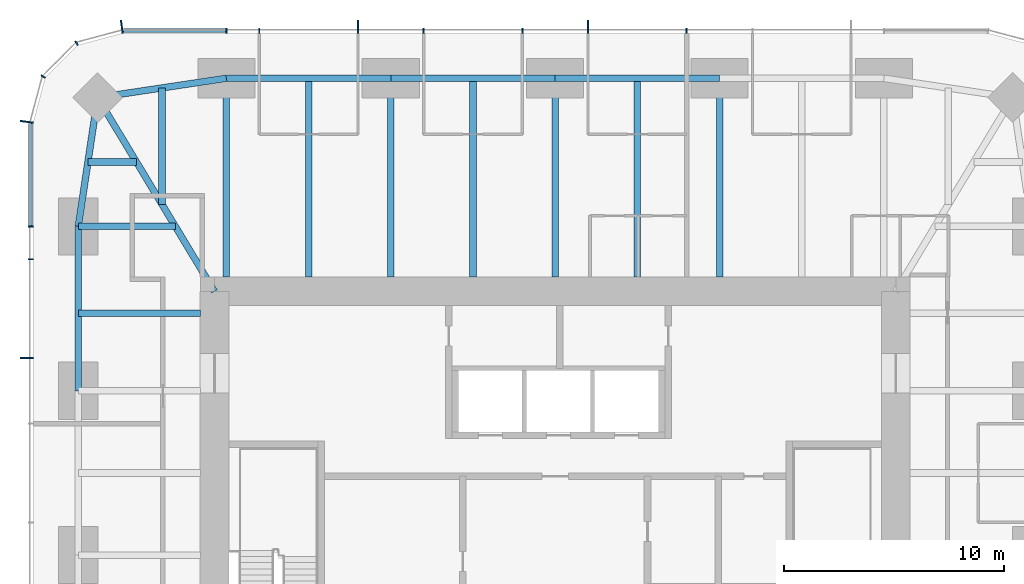
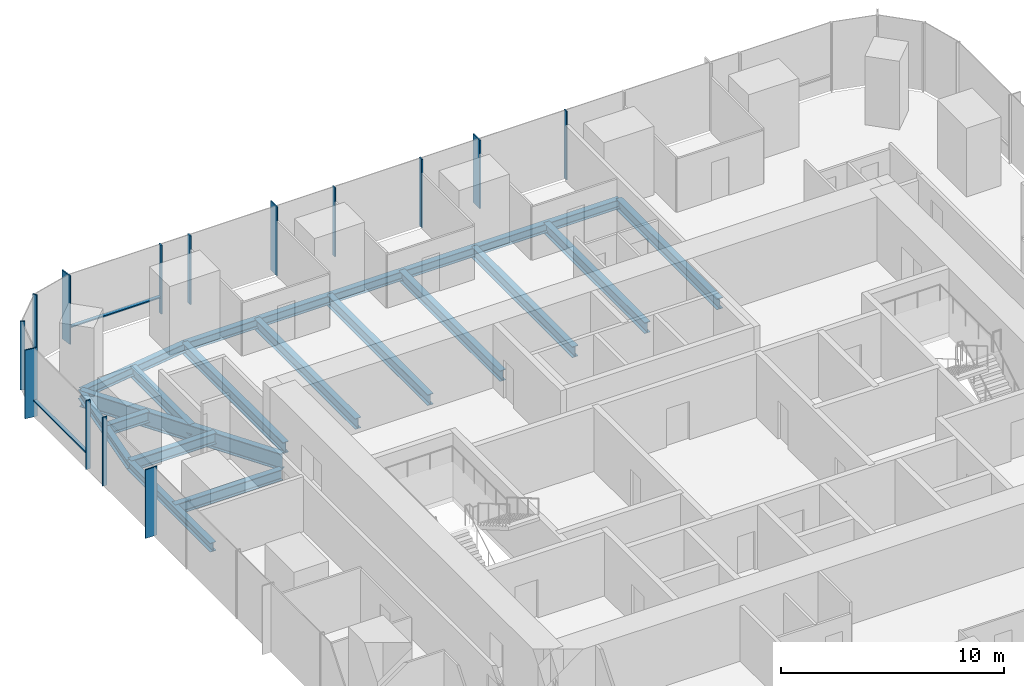
# One storey, part 5 of 12: 18 beams, 16 members, 3 elements without a shape of their own.
"""IFC4 building model written with IfcOpenShell, lengths in metres."""

from ifc_helpers import new_model, si_unit, direction, frame, origin, origin_2d, place, context, subcontext, project, spatial, rectangle, i_section, extrude, material, material_profile, profile_set, type_object, element, aggregate, save


model = new_model("IFC4")

# Units and contexts
model_context = context("Model", 3, precision=1e-05, world=origin(), true_north=direction((0.0, 1.0)))
body_context = subcontext(model_context, "Body", "Model", "MODEL_VIEW")
ifc_project = project(units=[si_unit("LENGTHUNIT", "METRE"), si_unit("AREAUNIT", "SQUARE_METRE"), si_unit("VOLUMEUNIT", "CUBIC_METRE"), si_unit("PLANEANGLEUNIT", "RADIAN"), si_unit("MASSUNIT", "GRAM", prefix="KILO")], contexts=[model_context])

# Site, building, storey
site_placement = place(None, origin())
site = spatial("IfcSite", under=ifc_project, at=site_placement, CompositionType="ELEMENT")
building_placement = place(site_placement, origin())
building = spatial("IfcBuilding", under=site, at=building_placement, Name="Khuree Lantern Residences", CompositionType="ELEMENT")
storey_placement = place(building_placement, frame((0.0, 0.0, 297.0)))
storey = spatial("IfcBuildingStorey", under=building, at=storey_placement, Name="L74", CompositionType="ELEMENT", Elevation=297.0)

# Beams
ifc_material_1 = material(Name="Steel S355", Category="steel")
ifc_material_profile_1 = material_profile(ifc_material_1, i_section(OverallWidth=0.300048828125, OverallDepth=0.590087890625, WebThickness=0.012939453125, FlangeThickness=0.02490234375, FilletRadius=0.027099609375, at=origin_2d()), Name="HE 600 A")
ifc_profile_set_1 = profile_set([ifc_material_profile_1], Name="Steel S355")
beam_type_1 = type_object("IfcBeamType", Name="B-41A SECONDARY BEAM HE 600 A", PredefinedType="BEAM", material=ifc_profile_set_1)
for number, where, z_axis, x_axis, name in (
    (1, (-11.219970703125, 21.699951171875, -0.544921875), (0.0, -1.0, 0.0), (1.0, 0.0, 0.0), "Secondary beam N1"),
    (2, (-3.739990234375, 21.699951171875, -0.544921875), (0.0, -1.0, 0.0), (1.0, 0.0, 0.0), "Secondary beam N2"),
    (3, (3.739990234375, 21.699951171875, -0.544921875), (0.0, -1.0, 0.0), (1.0, 0.0, 0.0), "Secondary beam N3"),
):
    element("IfcBeam", number, at=place(storey_placement, frame(where, z_axis=z_axis, x_axis=x_axis)), inside=storey, type_object=beam_type_1, Name=name, PredefinedType="BEAM", context=body_context, shape_type="SweptSolid", body=[
        extrude(i_section(OverallWidth=0.300048828125, OverallDepth=0.590087890625, WebThickness=0.012939453125, FlangeThickness=0.02490234375, FilletRadius=0.027099609375, at=origin_2d()), origin(), (0.0, 0.0, 1.0), 9.050048828125),
    ])
beam_1_placement = place(storey_placement, frame((-21.699951171875, 11.0, -0.544921875), z_axis=(1.0, 0.0, 0.0), x_axis=(0.0, 1.0, 0.0)))
element("IfcBeam", 4, at=beam_1_placement, inside=storey, type_object=beam_type_1, Name="Secondary beam W5", PredefinedType="BEAM", context=body_context, shape_type="SweptSolid", body=[
    extrude(i_section(OverallWidth=0.300048828125, OverallDepth=0.590087890625, WebThickness=0.012939453125, FlangeThickness=0.02490234375, FilletRadius=0.027099609375, at=origin_2d()), origin(), (0.0, 0.0, 1.0), 5.550048828125),
])
beam_2_placement = place(storey_placement, frame((-21.2607421875, 17.890625, -0.544921875), z_axis=(1.0, 0.0, 0.0), x_axis=(0.0, 1.0, 0.0)))
element("IfcBeam", 5, at=beam_2_placement, inside=storey, type_object=beam_type_1, Name="Secondary beam W6", PredefinedType="BEAM", context=body_context, shape_type="SweptSolid", body=[
    extrude(i_section(OverallWidth=0.300048828125, OverallDepth=0.590087890625, WebThickness=0.012939453125, FlangeThickness=0.02490234375, FilletRadius=0.027099609375, at=origin_2d()), origin(), (0.0, 0.0, 1.0), 2.207275390625),
])
beam_3_placement = place(storey_placement, frame((-17.890625, 21.2607421875, -0.544921875), z_axis=(0.0, -1.0, 0.0), x_axis=(1.0, 0.0, 0.0)))
element("IfcBeam", 6, at=beam_3_placement, inside=storey, type_object=beam_type_1, Name="Secondary beam N6", PredefinedType="BEAM", context=body_context, shape_type="SweptSolid", body=[
    extrude(i_section(OverallWidth=0.300048828125, OverallDepth=0.590087890625, WebThickness=0.012939453125, FlangeThickness=0.02490234375, FilletRadius=0.027099609375, at=origin_2d()), origin(), (0.0, 0.0, 1.0), 5.297607421875),
])
ifc_material_profile_2 = material_profile(ifc_material_1, i_section(OverallWidth=0.300048828125, OverallDepth=0.489990234375, WebThickness=0.011962890625, FlangeThickness=0.02294921875, FilletRadius=0.027099609375, at=origin_2d()), Name="HE 500 A")
ifc_profile_set_2 = profile_set([ifc_material_profile_2], Name="Steel S355")
beam_type_2 = type_object("IfcBeamType", Name="E-41 SPANDREL BEAM HE 500 A", PredefinedType="SPANDREL", material=ifc_profile_set_2)
for number, where, z_axis, x_axis, name in (
    (7, (-14.9599609375, 21.699951171875, -0.4951171875), (1.0, 0.0, 0.0), (0.0, 1.0, 0.0), "Spandrel beam N1"),
    (8, (-7.47998046875, 21.699951171875, -0.4951171875), (1.0, 0.0, 0.0), (0.0, 1.0, 0.0), "Spandrel beam N2"),
    (9, (0.0, 21.699951171875, -0.4951171875), (1.0, 0.0, 0.0), (0.0, 1.0, 0.0), "Spandrel beam N3"),
    (10, (-21.699951171875, 7.47998046875, -0.4951171875), (0.0, 1.0, 0.0), (-1.0, 0.0, 0.0), "Spandrel beam W5"),
):
    element("IfcBeam", number, at=place(storey_placement, frame(where, z_axis=z_axis, x_axis=x_axis)), inside=storey, type_object=beam_type_2, Name=name, PredefinedType="SPANDREL", context=body_context, shape_type="SweptSolid", body=[
        extrude(i_section(OverallWidth=0.300048828125, OverallDepth=0.489990234375, WebThickness=0.011962890625, FlangeThickness=0.02294921875, FilletRadius=0.027099609375, at=origin_2d()), origin(), (0.0, 0.0, 1.0), 7.47998046875),
    ])
for number, where, z_axis, x_axis, name in (
    (11, (-21.699951171875, 14.9599609375, -0.4951171875), (0.148251822985, 0.988949643299, 0.0), (-0.988949643299, 0.148251822985, 0.0), "Spandrel beam W6"),
    (12, (-20.8212890625, 20.8212890625, -0.4951171875), (0.988949643299, 0.148251822985, 0.0), (-0.148251822985, 0.988949643299, 0.0), "Spandrel beam N6"),
):
    element("IfcBeam", number, at=place(storey_placement, frame(where, z_axis=z_axis, x_axis=x_axis)), inside=storey, type_object=beam_type_2, Name=name, PredefinedType="SPANDREL", context=body_context, shape_type="SweptSolid", body=[
        extrude(i_section(OverallWidth=0.300048828125, OverallDepth=0.489990234375, WebThickness=0.011962890625, FlangeThickness=0.02294921875, FilletRadius=0.027099609375, at=origin_2d()), origin(), (0.0, 0.0, 1.0), 5.9267578125),
    ])

# Curtain wall, members
ifc_material_2 = material(Name="Bronze anodised aluminium", Category="aluminium")
curtain_wall_type_1 = type_object("IfcCurtainWallType", Name="CW-T1 TOWER FACE CURTAIN WALL", PredefinedType="USERDEFINED", material=ifc_material_2)
curtain_wall_1_placement = place(storey_placement, origin())
curtain_wall_1 = element("IfcCurtainWall", 13, at=curtain_wall_1_placement, inside=storey, type_object=curtain_wall_type_1, Name="L74 NORTH FACE CURTAIN WALL", ObjectType="Stick-built curtain wall", PredefinedType="USERDEFINED")
ifc_material_profile_3 = material_profile(ifc_material_2, rectangle(XDim=0.06494140625, YDim=0.60009765625, at=origin_2d()), Name="F1 65X600")
ifc_profile_set_3 = profile_set([ifc_material_profile_3], Name="Bronze anodised aluminium")
member_type_1 = type_object("IfcMemberType", Name="F1 BRONZE FIN MULLION TOWER 65X600", PredefinedType="MULLION", material=ifc_profile_set_3)
member_1_placement = place(storey_placement, frame((1.49609375, 24.050048828125, 0.0), z_axis=(0.0, 0.0, 1.0), x_axis=(-1.0, 0.0, 0.0)))
member_1 = element("IfcMember", 14, at=member_1_placement, type_object=member_type_1, Name="L74 NORTH FACE FIN MULLION 23", PredefinedType="MULLION", context=body_context, shape_type="SweptSolid", body=[
    extrude(rectangle(XDim=0.06494140625, YDim=0.60009765625, at=origin_2d()), origin(), (0.0, 0.0, 1.0), 3.75),
])
member_2_placement = place(storey_placement, frame((-8.97607421875, 24.050048828125, 0.0), z_axis=(0.0, 0.0, 1.0), x_axis=(-1.0, 0.0, 0.0)))
member_2 = element("IfcMember", 15, at=member_2_placement, type_object=member_type_1, Name="L74 NORTH FACE FIN MULLION 26", PredefinedType="MULLION", context=body_context, shape_type="SweptSolid", body=[
    extrude(rectangle(XDim=0.06494140625, YDim=0.60009765625, at=origin_2d()), origin(), (0.0, 0.0, 1.0), 3.75),
])

# Curtain wall, member
curtain_wall_type_2 = type_object("IfcCurtainWallType", Name="CW-T2 TOWER CORNER CURTAIN WALL", PredefinedType="USERDEFINED", material=ifc_material_2)
curtain_wall_2_placement = place(storey_placement, origin())
curtain_wall_2 = element("IfcCurtainWall", 16, at=curtain_wall_2_placement, inside=storey, type_object=curtain_wall_type_2, Name="L74 NORTH-WEST CORNER CURTAIN WALL", ObjectType="Faceted corner curtain wall", PredefinedType="USERDEFINED")
member_3_placement = place(storey_placement, frame((-19.7197265625, 24.050048828125, 0.0), z_axis=(0.0, 0.0, 1.0), x_axis=(-0.991444870192, -0.130526125236, 0.0)))
member_3 = element("IfcMember", 17, at=member_3_placement, type_object=member_type_1, Name="L74 NORTH-WEST CORNER FIN MULLION 29", PredefinedType="MULLION", context=body_context, shape_type="SweptSolid", body=[
    extrude(rectangle(XDim=0.06494140625, YDim=0.60009765625, at=origin_2d()), origin(), (0.0, 0.0, 1.0), 3.75),
])

# Curtain wall, members
curtain_wall_3_placement = place(storey_placement, origin())
curtain_wall_3 = element("IfcCurtainWall", 18, at=curtain_wall_3_placement, inside=storey, type_object=curtain_wall_type_1, Name="L74 WEST FACE CURTAIN WALL", ObjectType="Stick-built curtain wall", PredefinedType="USERDEFINED")
member_4_placement = place(storey_placement, frame((-24.050048828125, 19.7197265625, 0.0), z_axis=(0.0, 0.0, 1.0), x_axis=(-0.130526125236, -0.991444870192, 0.0)))
member_4 = element("IfcMember", 19, at=member_4_placement, type_object=member_type_1, Name="L74 WEST FACE FIN MULLION 32", PredefinedType="MULLION", context=body_context, shape_type="SweptSolid", body=[
    extrude(rectangle(XDim=0.06494140625, YDim=0.60009765625, at=origin_2d()), origin(), (0.0, 0.0, 1.0), 3.75),
])
member_5_placement = place(storey_placement, frame((-24.050048828125, 8.97607421875, 0.0), z_axis=(0.0, 0.0, 1.0), x_axis=(0.0, -1.0, 0.0)))
member_5 = element("IfcMember", 20, at=member_5_placement, type_object=member_type_1, Name="L74 WEST FACE FIN MULLION 35", PredefinedType="MULLION", context=body_context, shape_type="SweptSolid", body=[
    extrude(rectangle(XDim=0.06494140625, YDim=0.60009765625, at=origin_2d()), origin(), (0.0, 0.0, 1.0), 3.75),
])

# Beams
ifc_material_profile_4 = material_profile(ifc_material_1, i_section(OverallWidth=0.300048828125, OverallDepth=0.60009765625, WebThickness=0.015380859375, FlangeThickness=0.030029296875, FilletRadius=0.027099609375, at=origin_2d()), Name="HE 600 B")
ifc_profile_set_4 = profile_set([ifc_material_profile_4], Name="Steel S355")
beam_type_3 = type_object("IfcBeamType", Name="G-41 GIRDER HE 600 B", PredefinedType="BEAM", material=ifc_profile_set_4)
for number, where, z_axis, x_axis, name in (
    (21, (-14.9599609375, 21.699951171875, -0.550048828125), (0.0, -1.0, 0.0), (1.0, 0.0, 0.0), "Girder N1"),
    (22, (-7.47998046875, 21.699951171875, -0.550048828125), (0.0, -1.0, 0.0), (1.0, 0.0, 0.0), "Girder N2"),
    (23, (0.0, 21.699951171875, -0.550048828125), (0.0, -1.0, 0.0), (1.0, 0.0, 0.0), "Girder N3"),
    (24, (7.47998046875, 21.699951171875, -0.550048828125), (0.0, -1.0, 0.0), (1.0, 0.0, 0.0), "Girder N4"),
):
    element("IfcBeam", number, at=place(storey_placement, frame(where, z_axis=z_axis, x_axis=x_axis)), inside=storey, type_object=beam_type_3, Name=name, PredefinedType="BEAM", context=body_context, shape_type="SweptSolid", body=[
        extrude(i_section(OverallWidth=0.300048828125, OverallDepth=0.60009765625, WebThickness=0.015380859375, FlangeThickness=0.030029296875, FilletRadius=0.027099609375, at=origin_2d()), origin(), (0.0, 0.0, 1.0), 9.050048828125),
    ])
beam_4_placement = place(storey_placement, frame((-21.699951171875, 14.9599609375, -0.550048828125), z_axis=(1.0, 0.0, 0.0), x_axis=(0.0, 1.0, 0.0)))
element("IfcBeam", 25, at=beam_4_placement, inside=storey, type_object=beam_type_3, Name="Girder W5", PredefinedType="BEAM", context=body_context, shape_type="SweptSolid", body=[
    extrude(i_section(OverallWidth=0.300048828125, OverallDepth=0.60009765625, WebThickness=0.015380859375, FlangeThickness=0.030029296875, FilletRadius=0.027099609375, at=origin_2d()), origin(), (0.0, 0.0, 1.0), 4.414306640625),
])
ifc_material_profile_5 = material_profile(ifc_material_1, i_section(OverallWidth=0.300048828125, OverallDepth=0.89990234375, WebThickness=0.0185546875, FlangeThickness=0.034912109375, FilletRadius=0.030029296875, at=origin_2d()), Name="HE 900 B")
ifc_profile_set_5 = profile_set([ifc_material_profile_5], Name="Steel S355")
beam_type_4 = type_object("IfcBeamType", Name="GD-41 CORNER GIRDER HE 900 B", PredefinedType="BEAM", material=ifc_profile_set_5)
beam_5_placement = place(storey_placement, frame((-20.8212890625, 20.8212890625, -0.699951171875), z_axis=(0.516529577604, -0.856269347495, 0.0), x_axis=(0.856269347495, 0.516529577604, 0.0)))
element("IfcBeam", 26, at=beam_5_placement, inside=storey, type_object=beam_type_4, Name="Corner girder NW", PredefinedType="BEAM", context=body_context, shape_type="SweptSolid", body=[
    extrude(i_section(OverallWidth=0.300048828125, OverallDepth=0.89990234375, WebThickness=0.0185546875, FlangeThickness=0.034912109375, FilletRadius=0.030029296875, at=origin_2d()), origin(), (0.0, 0.0, 1.0), 10.302001953125),
])

# Member
ifc_material_profile_6 = material_profile(ifc_material_2, rectangle(XDim=0.06494140625, YDim=0.219970703125, at=origin_2d()), Name="M1 65X220")
ifc_profile_set_6 = profile_set([ifc_material_profile_6], Name="Bronze anodised aluminium")
member_type_2 = type_object("IfcMemberType", Name="M1 BRONZE MULLION TOWER 65X220", PredefinedType="MULLION", material=ifc_profile_set_6)
member_6_placement = place(storey_placement, frame((5.98388671875, 23.860107421875, 0.0), z_axis=(0.0, 0.0, 1.0), x_axis=(-1.0, 0.0, 0.0)))
member_6 = element("IfcMember", 27, at=member_6_placement, type_object=member_type_2, Name="L74 NORTH FACE MULLION 22", PredefinedType="MULLION", context=body_context, shape_type="SweptSolid", body=[
    extrude(rectangle(XDim=0.06494140625, YDim=0.219970703125, at=origin_2d()), origin(), (0.0, 0.0, 1.0), 3.75),
])

member_7_placement = place(storey_placement, frame((-1.49609375, 23.860107421875, 0.0), z_axis=(0.0, 0.0, 1.0), x_axis=(-1.0, 0.0, 0.0)))
member_7 = element("IfcMember", 28, at=member_7_placement, type_object=member_type_2, Name="L74 NORTH FACE MULLION 24", PredefinedType="MULLION", context=body_context, shape_type="SweptSolid", body=[
    extrude(rectangle(XDim=0.06494140625, YDim=0.219970703125, at=origin_2d()), origin(), (0.0, 0.0, 1.0), 3.75),
])

member_8_placement = place(storey_placement, frame((-5.98388671875, 23.860107421875, 0.0), z_axis=(0.0, 0.0, 1.0), x_axis=(-1.0, 0.0, 0.0)))
member_8 = element("IfcMember", 29, at=member_8_placement, type_object=member_type_2, Name="L74 NORTH FACE MULLION 25", PredefinedType="MULLION", context=body_context, shape_type="SweptSolid", body=[
    extrude(rectangle(XDim=0.06494140625, YDim=0.219970703125, at=origin_2d()), origin(), (0.0, 0.0, 1.0), 3.75),
])

member_9_placement = place(storey_placement, frame((-13.464111328125, 23.860107421875, 0.0), z_axis=(0.0, 0.0, 1.0), x_axis=(-1.0, 0.0, 0.0)))
member_9 = element("IfcMember", 30, at=member_9_placement, type_object=member_type_2, Name="L74 NORTH FACE MULLION 27", PredefinedType="MULLION", context=body_context, shape_type="SweptSolid", body=[
    extrude(rectangle(XDim=0.06494140625, YDim=0.219970703125, at=origin_2d()), origin(), (0.0, 0.0, 1.0), 3.75),
])

member_10_placement = place(storey_placement, frame((-14.9599609375, 23.860107421875, 0.0), z_axis=(0.0, 0.0, 1.0), x_axis=(-1.0, 0.0, 0.0)))
member_10 = element("IfcMember", 31, at=member_10_placement, type_object=member_type_2, Name="L74 NORTH FACE MULLION 28", PredefinedType="MULLION", context=body_context, shape_type="SweptSolid", body=[
    extrude(rectangle(XDim=0.06494140625, YDim=0.219970703125, at=origin_2d()), origin(), (0.0, 0.0, 1.0), 3.75),
])

member_11_placement = place(storey_placement, frame((-21.780029296875, 23.302734375, 0.0), z_axis=(0.0, 0.0, 1.0), x_axis=(-0.866025437565, -0.49999994149, 0.0)))
member_11 = element("IfcMember", 32, at=member_11_placement, type_object=member_type_2, Name="L74 NORTH-WEST CORNER MULLION 30", PredefinedType="MULLION", context=body_context, shape_type="SweptSolid", body=[
    extrude(rectangle(XDim=0.06494140625, YDim=0.219970703125, at=origin_2d()), origin(), (0.0, 0.0, 1.0), 3.75),
])

member_12_placement = place(storey_placement, frame((-23.302734375, 21.780029296875, 0.0), z_axis=(0.0, 0.0, 1.0), x_axis=(-0.49999994149, -0.866025437565, 0.0)))
member_12 = element("IfcMember", 33, at=member_12_placement, type_object=member_type_2, Name="L74 NORTH-WEST CORNER MULLION 31", PredefinedType="MULLION", context=body_context, shape_type="SweptSolid", body=[
    extrude(rectangle(XDim=0.06494140625, YDim=0.219970703125, at=origin_2d()), origin(), (0.0, 0.0, 1.0), 3.75),
])

aggregate(curtain_wall_2, [member_3, member_11, member_12])

member_13_placement = place(storey_placement, frame((-23.860107421875, 14.9599609375, 0.0), z_axis=(0.0, 0.0, 1.0), x_axis=(0.0, -1.0, 0.0)))
member_13 = element("IfcMember", 34, at=member_13_placement, type_object=member_type_2, Name="L74 WEST FACE MULLION 33", PredefinedType="MULLION", context=body_context, shape_type="SweptSolid", body=[
    extrude(rectangle(XDim=0.06494140625, YDim=0.219970703125, at=origin_2d()), origin(), (0.0, 0.0, 1.0), 3.75),
])

member_14_placement = place(storey_placement, frame((-23.860107421875, 13.464111328125, 0.0), z_axis=(0.0, 0.0, 1.0), x_axis=(0.0, -1.0, 0.0)))
member_14 = element("IfcMember", 35, at=member_14_placement, type_object=member_type_2, Name="L74 WEST FACE MULLION 34", PredefinedType="MULLION", context=body_context, shape_type="SweptSolid", body=[
    extrude(rectangle(XDim=0.06494140625, YDim=0.219970703125, at=origin_2d()), origin(), (0.0, 0.0, 1.0), 3.75),
])

ifc_material_profile_7 = material_profile(ifc_material_2, rectangle(XDim=0.179931640625, YDim=0.06494140625, at=origin_2d()), Name="T1 180X65")
ifc_profile_set_7 = profile_set([ifc_material_profile_7], Name="Bronze anodised aluminium")
member_type_3 = type_object("IfcMemberType", Name="TRANSOM T1 TOWER 180X65", PredefinedType="USERDEFINED", material=ifc_profile_set_7)
member_15_placement = place(storey_placement, frame((-14.992431640625, 23.8701171875, 0.89990234375), z_axis=(-1.0, 0.0, 0.0), x_axis=(0.0, -1.0, 0.0)))
member_15 = element("IfcMember", 36, at=member_15_placement, type_object=member_type_3, Name="L74 NORTH FACE TRANSOM 28.1", ObjectType="Transom", PredefinedType="USERDEFINED", context=body_context, shape_type="SweptSolid", body=[
    extrude(rectangle(XDim=0.179931640625, YDim=0.06494140625, at=origin_2d()), origin(), (0.0, 0.0, 1.0), 4.658935546875),
])

aggregate(curtain_wall_1, [member_6, member_1, member_7, member_8, member_2, member_9, member_10, member_15])

member_16_placement = place(storey_placement, frame((-23.8701171875, 19.6513671875, 0.89990234375), z_axis=(0.0, -1.0, 0.0), x_axis=(1.0, 0.0, 0.0)))
member_16 = element("IfcMember", 37, at=member_16_placement, type_object=member_type_3, Name="L74 WEST FACE TRANSOM 32.1", ObjectType="Transom", PredefinedType="USERDEFINED", context=body_context, shape_type="SweptSolid", body=[
    extrude(rectangle(XDim=0.179931640625, YDim=0.06494140625, at=origin_2d()), origin(), (0.0, 0.0, 1.0), 4.658935546875),
])

aggregate(curtain_wall_3, [member_4, member_13, member_14, member_5, member_16])

save(model, "model.ifc")
